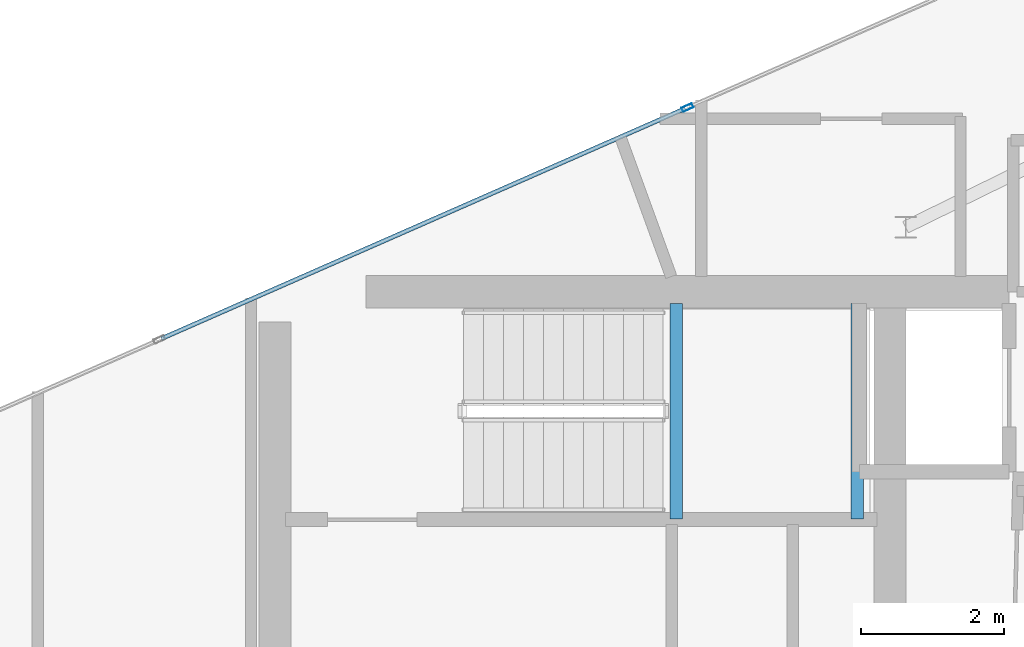
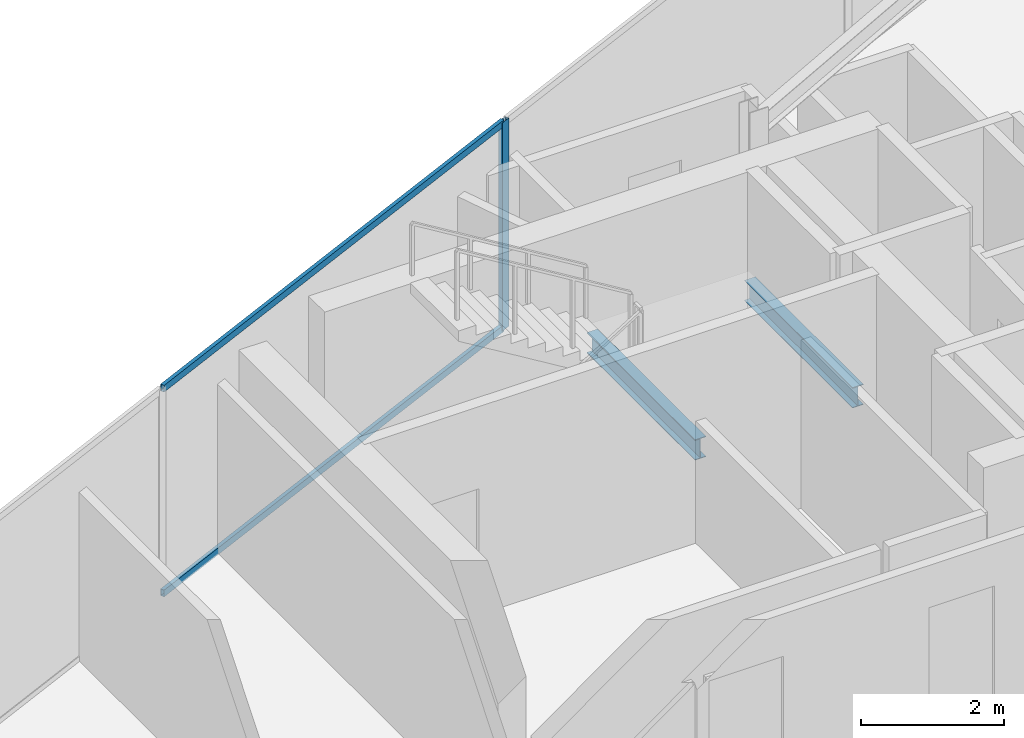
# One storey, part 8 of 14: 3 members, 2 beams, 1 element without a shape of its own.
"""IFC4 building model written with IfcOpenShell, lengths in metres."""

from ifc_helpers import new_model, si_unit, direction, frame, origin, origin_2d, place, context, subcontext, project, spatial, hollow_rectangle, i_section, extrude, material, layer, layer_set, material_profile, profile_set, type_object, element, aggregate, save


model = new_model("IFC4")

# Units and contexts
model_context = context("Model", 3, precision=1e-05, world=origin(), true_north=direction((0.0, 1.0)))
body_context = subcontext(model_context, "Body", "Model", "MODEL_VIEW")
ifc_project = project(units=[si_unit("LENGTHUNIT", "METRE"), si_unit("AREAUNIT", "SQUARE_METRE"), si_unit("VOLUMEUNIT", "CUBIC_METRE"), si_unit("PLANEANGLEUNIT", "RADIAN"), si_unit("MASSUNIT", "GRAM", prefix="KILO")], contexts=[model_context])

# Site, building, storey
site_placement = place(None, origin())
site = spatial("IfcSite", under=ifc_project, at=site_placement, CompositionType="ELEMENT")
building_placement = place(site_placement, origin())
building = spatial("IfcBuilding", under=site, at=building_placement, Name="Qianvela Tower", CompositionType="ELEMENT")
storey_placement = place(building_placement, frame((0.0, 0.0, 371.300048828125)))
storey = spatial("IfcBuildingStorey", under=building, at=storey_placement, Name="L96", CompositionType="ELEMENT", Elevation=371.300048828125)

# Beams
ifc_material_1 = material(Name="Steel Q355B", Category="steel")
ifc_material_profile_1 = material_profile(ifc_material_1, i_section(OverallWidth=0.175048828125, OverallDepth=0.35009765625, WebThickness=0.007080078125, FlangeThickness=0.010986328125, at=origin_2d()), Name="HN350x175x7x11")
ifc_profile_set_1 = profile_set([ifc_material_profile_1], Name="Steel Q355B")
beam_type = type_object("IfcBeamType", Name="BM-HN350-JOIST", PredefinedType="JOIST", material=ifc_profile_set_1)
for number, where, z_axis, x_axis, name in (
    (1, (35.179931640625, 29.4599609375, 1.5), (0.0, 1.0, 0.0), (-1.0, 0.0, 0.0), "L96 Stair ST-1 Landing Support Beam 1.1"),
    (2, (37.719970703125, 29.4599609375, 1.5), (0.0, 1.0, 0.0), (-1.0, 0.0, 0.0), "L96 Stair ST-1 Landing Support Beam 1.2"),
):
    element("IfcBeam", number, at=place(storey_placement, frame(where, z_axis=z_axis, x_axis=x_axis)), inside=storey, type_object=beam_type, Name=name, PredefinedType="JOIST", context=body_context, shape_type="SweptSolid", body=[
        extrude(i_section(OverallWidth=0.175048828125, OverallDepth=0.35009765625, WebThickness=0.007080078125, FlangeThickness=0.010986328125, at=origin_2d()), origin(), (0.0, 0.0, 1.0), 3.02001953125),
    ])

# Curtain wall, members
ifc_material_2 = material(Name="Anodised Architectural Aluminium and Low-E Glass", Category="aluminium")
ifc_layer = layer(ifc_material_2, 0.159912109375)
ifc_layer_set = layer_set([ifc_layer], Name="Anodised Architectural Aluminium and Low-E Glass")
curtain_wall_type = type_object("IfcCurtainWallType", Name="CW-CROWN", PredefinedType="USERDEFINED", material=ifc_layer_set)
curtain_wall_placement = place(storey_placement, origin())
curtain_wall = element("IfcCurtainWall", 3, at=curtain_wall_placement, inside=storey, type_object=curtain_wall_type, Name="L96 CW-CROWN Curtain Wall 02", ObjectType="CURTAIN_WALL_SYSTEM", PredefinedType="USERDEFINED")
ifc_material_3 = material(Name="Anodised Architectural Aluminium 6063-T6", Category="aluminium")
ifc_material_profile_2 = material_profile(ifc_material_3, hollow_rectangle(XDim=0.06494140625, YDim=0.159912109375, WallThickness=0.0048828125, at=origin_2d()), Name="ALU-MULL-65x160")
ifc_profile_set_2 = profile_set([ifc_material_profile_2], Name="Anodised Architectural Aluminium 6063-T6")
member_type_1 = type_object("IfcMemberType", Name="CW-CROWN-MULL", PredefinedType="MULLION", material=ifc_profile_set_2)
member_1_placement = place(storey_placement, frame((35.33935546875, 35.22802734375, 0.0), z_axis=(0.0, 0.0, 1.0), x_axis=(0.402169726796, -0.915565131954, 0.0)))
member_1 = element("IfcMember", 4, at=member_1_placement, type_object=member_type_1, Name="CW-8 mullion 3", PredefinedType="MULLION", context=body_context, shape_type="SweptSolid", body=[
    extrude(hollow_rectangle(XDim=0.06494140625, YDim=0.159912109375, WallThickness=0.0048828125, at=origin_2d()), origin(), (0.0, 0.0, 1.0), 3.550048828125),
])
ifc_material_4 = material(Name="Anodised Architectural Aluminium 6063-T6", Category="aluminium")
ifc_material_profile_3 = material_profile(ifc_material_4, hollow_rectangle(XDim=0.06005859375, YDim=0.114990234375, WallThickness=0.00390625, at=origin_2d()), Name="ALU-TRAN-60x115")
ifc_profile_set_3 = profile_set([ifc_material_profile_3], Name="Anodised Architectural Aluminium 6063-T6")
member_type_2 = type_object("IfcMemberType", Name="CW-CROWN-TRAN", PredefinedType="USERDEFINED", material=ifc_profile_set_3)
member_2_placement = place(storey_placement, frame((35.3095703125, 35.215087890625, 0.030029296875), z_axis=(-0.915555782582, -0.402191010566, 0.0), x_axis=(0.402191010566, -0.915555782582, 0.0)))
member_2 = element("IfcMember", 5, at=member_2_placement, type_object=member_type_2, Name="CW-8 transom 3.1", ObjectType="TRANSOM", PredefinedType="USERDEFINED", context=body_context, shape_type="SweptSolid", body=[
    extrude(hollow_rectangle(XDim=0.06005859375, YDim=0.114990234375, WallThickness=0.00390625, at=origin_2d()), origin(), (0.0, 0.0, 1.0), 8.024169921875),
])
member_3_placement = place(storey_placement, frame((35.3095703125, 35.215087890625, 3.52001953125), z_axis=(-0.915555782582, -0.402191010566, 0.0), x_axis=(0.402191010566, -0.915555782582, 0.0)))
member_3 = element("IfcMember", 6, at=member_3_placement, type_object=member_type_2, Name="CW-8 transom 3.2", ObjectType="TRANSOM", PredefinedType="USERDEFINED", context=body_context, shape_type="SweptSolid", body=[
    extrude(hollow_rectangle(XDim=0.06005859375, YDim=0.114990234375, WallThickness=0.00390625, at=origin_2d()), origin(), (0.0, 0.0, 1.0), 8.024169921875),
])
aggregate(curtain_wall, [member_1, member_2, member_3])

save(model, "model.ifc")
